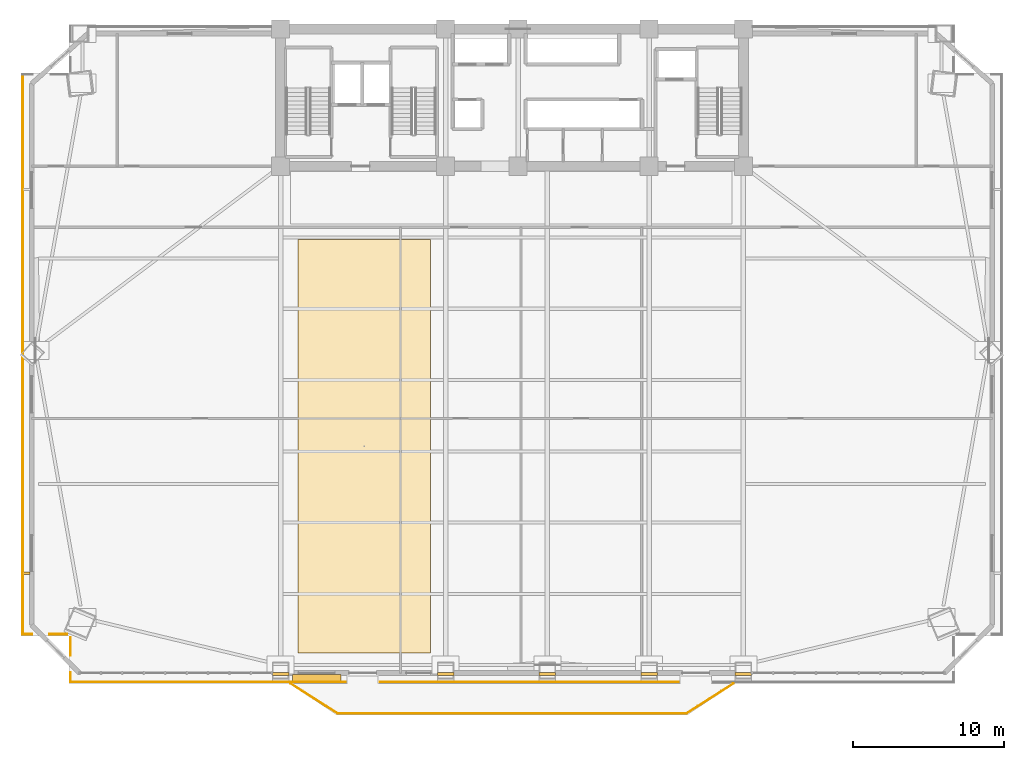
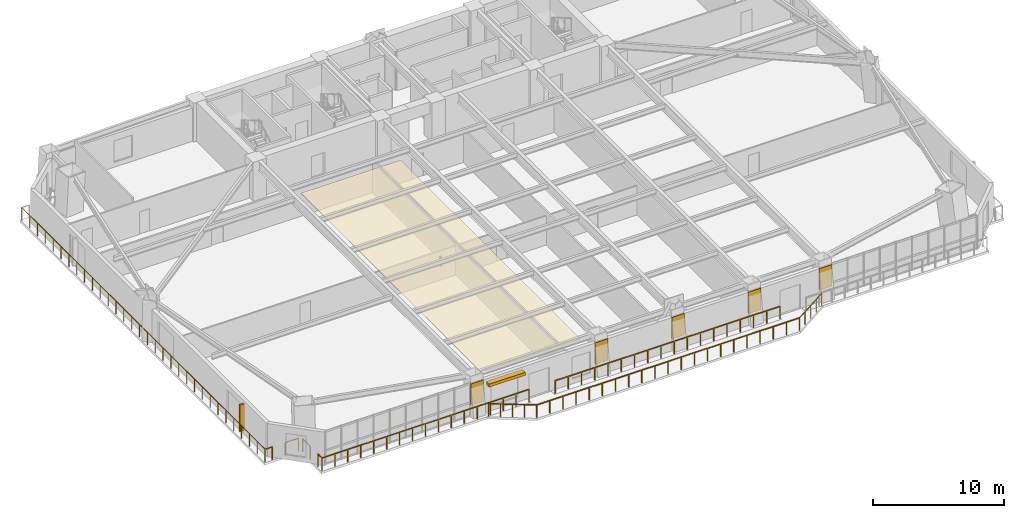
# One storey, part 13 of 17: 10 railings, 6 coverings, 2 shading devices.
"""IFC4 building model written with IfcOpenShell, lengths in metres."""

from ifc_helpers import new_model, si_unit, direction, frame, origin, origin_2d, place, context, subcontext, project, spatial, polyline, rectangle, outline, extrude, source, transform, mapped, material, layer, layer_set, type_object, element, save


model = new_model("IFC4")

# Units and contexts
model_context = context("Model", 3, precision=1e-05, world=origin(), true_north=direction((0.0, 1.0)))
body_context = subcontext(model_context, "Body", "Model", "MODEL_VIEW")
ifc_project = project(units=[si_unit("LENGTHUNIT", "METRE"), si_unit("AREAUNIT", "SQUARE_METRE"), si_unit("VOLUMEUNIT", "CUBIC_METRE"), si_unit("PLANEANGLEUNIT", "RADIAN"), si_unit("MASSUNIT", "GRAM", prefix="KILO")], contexts=[model_context])

# Site, building, storey
site_placement = place(None, origin())
site = spatial("IfcSite", under=ifc_project, at=site_placement, CompositionType="ELEMENT")
building_placement = place(site_placement, origin())
building = spatial("IfcBuilding", under=site, at=building_placement, Name="Giltprow Tower", CompositionType="ELEMENT")
storey_placement = place(building_placement, frame((0.0, 0.0, 44.89990234375)))
storey = spatial("IfcBuildingStorey", under=building, at=storey_placement, Name="L11", CompositionType="ELEMENT", Elevation=44.89990234375)

# Coverings
ifc_material_1 = material(Name="Acoustic mineral fibre", Category="gypsum")
ifc_layer_1 = layer(ifc_material_1, 0.030029296875, Name="Acoustic mineral fibre")
ifc_layer_set_1 = layer_set([ifc_layer_1], Name="Acoustic mineral fibre")
covering_type_1 = type_object("IfcCoveringType", Name="COV-CLG-ACOUSTIC", PredefinedType="CEILING", material=ifc_layer_set_1)
covering_1_placement = place(storey_placement, frame((0.0, 0.0, 2.72021484375)))
element("IfcCovering", 1, at=covering_1_placement, inside=storey, type_object=covering_type_1, Name="L11 Office Acoustic Ceiling", PredefinedType="CEILING", context=body_context, shape_type="SweptSolid", body=[
    extrude(outline(polyline([(21.0, 5.154052734375), (29.800048828125, 5.154052734375), (29.800048828125, 32.60009765625), (21.0, 32.60009765625), (21.0, 5.154052734375)])), origin(), (0.0, 0.0, 1.0), 0.02978515625),
])
ifc_material_2 = material(Name="Anodized bronze", Category="metal")
ifc_layer_2 = layer(ifc_material_2, 0.0400390625, Name="Anodized bronze")
ifc_layer_set_2 = layer_set([ifc_layer_2], Name="Anodized bronze")
covering_type_2 = type_object("IfcCoveringType", Name="COV-SOFFIT-BRONZE", PredefinedType="CLADDING", material=ifc_layer_set_2)
covering_2_placement = place(storey_placement, frame((0.0, 0.0, 1.10009765625)))
element("IfcCovering", 2, at=covering_2_placement, inside=storey, type_object=covering_type_2, Name="L11 Setback Pier Closure Cladding S-1", PredefinedType="CLADDING", context=body_context, shape_type="SweptSolid", body=[
    extrude(outline(polyline([(19.300048828125, 3.6669921875), (20.39990234375, 3.6669921875), (20.39990234375, 3.846923828125), (19.300048828125, 3.846923828125), (19.300048828125, 3.6669921875)])), origin(), (0.0, 0.0, 1.0), 2.0),
])
covering_3_placement = place(storey_placement, frame((0.0, 0.0, 1.10009765625)))
element("IfcCovering", 3, at=covering_3_placement, inside=storey, type_object=covering_type_2, Name="L11 Setback Pier Closure Cladding S-2", PredefinedType="CLADDING", context=body_context, shape_type="SweptSolid", body=[
    extrude(outline(polyline([(30.25, 3.6669921875), (31.35009765625, 3.6669921875), (31.35009765625, 3.846923828125), (30.25, 3.846923828125), (30.25, 3.6669921875)])), origin(), (0.0, 0.0, 1.0), 2.0),
])
covering_4_placement = place(storey_placement, frame((0.0, 0.0, 1.10009765625)))
element("IfcCovering", 4, at=covering_4_placement, inside=storey, type_object=covering_type_2, Name="L11 Setback Pier Closure Cladding S-3", PredefinedType="CLADDING", context=body_context, shape_type="SweptSolid", body=[
    extrude(outline(polyline([(37.0, 3.6669921875), (38.10009765625, 3.6669921875), (38.10009765625, 3.846923828125), (37.0, 3.846923828125), (37.0, 3.6669921875)])), origin(), (0.0, 0.0, 1.0), 2.0),
])
covering_5_placement = place(storey_placement, frame((0.0, 0.0, 1.10009765625)))
element("IfcCovering", 5, at=covering_5_placement, inside=storey, type_object=covering_type_2, Name="L11 Setback Pier Closure Cladding S-4", PredefinedType="CLADDING", context=body_context, shape_type="SweptSolid", body=[
    extrude(outline(polyline([(43.75, 3.6669921875), (44.85009765625, 3.6669921875), (44.85009765625, 3.846923828125), (43.75, 3.846923828125), (43.75, 3.6669921875)])), origin(), (0.0, 0.0, 1.0), 2.0),
])
covering_6_placement = place(storey_placement, frame((0.0, 0.0, 1.10009765625)))
element("IfcCovering", 6, at=covering_6_placement, inside=storey, type_object=covering_type_2, Name="L11 Setback Pier Closure Cladding S-5", PredefinedType="CLADDING", context=body_context, shape_type="SweptSolid", body=[
    extrude(outline(polyline([(50.0, 3.6669921875), (51.10009765625, 3.6669921875), (51.10009765625, 3.846923828125), (50.0, 3.846923828125), (50.0, 3.6669921875)])), origin(), (0.0, 0.0, 1.0), 2.0),
])

# Railings
railing_type = type_object("IfcRailingType", Name="RAIL-BALC-GUARD-1200", PredefinedType="BALUSTRADE", material=ifc_material_2)
railing_1_placement = place(storey_placement, frame((20.52001953125, 3.126953125, 0.0)))
element("IfcRailing", 7, at=railing_1_placement, inside=storey, type_object=railing_type, Name="L11 Waterfront Balcony Balustrade Seg 1", PredefinedType="BALUSTRADE", context=body_context, shape_type="SweptSolid", body=[
    extrude(rectangle(XDim=0.048095703125, YDim=0.048095703125, at=origin_2d()), frame((0.0, 0.0, 1.17578125), z_axis=(0.84277487735, -0.538266203757, 0.0), x_axis=(0.538266203757, 0.84277487735, 0.0)), (0.0, 0.0, 1.0), 3.678466796875),
    extrude(rectangle(XDim=0.0419921875, YDim=0.0419921875, at=origin_2d()), origin(), (0.0, 0.0, 1.0), 1.15185546875),
    extrude(rectangle(XDim=0.0419921875, YDim=0.0419921875, at=origin_2d()), frame((0.77490234375, -0.4951171875, 0.0)), (0.0, 0.0, 1.0), 1.15185546875),
    extrude(rectangle(XDim=0.0419921875, YDim=0.0419921875, at=origin_2d()), frame((1.550048828125, -0.989990234375, 0.0)), (0.0, 0.0, 1.0), 1.15185546875),
    extrude(rectangle(XDim=0.0419921875, YDim=0.0419921875, at=origin_2d()), frame((2.3251953125, -1.48486328125, 0.0)), (0.0, 0.0, 1.0), 1.15185546875),
    extrude(rectangle(XDim=0.0419921875, YDim=0.0419921875, at=origin_2d()), frame((3.10009765625, -1.97998046875, 0.0)), (0.0, 0.0, 1.0), 1.15185546875),
])
railing_2_placement = place(storey_placement, frame((23.6201171875, 1.14697265625, 0.0)))
element("IfcRailing", 8, at=railing_2_placement, inside=storey, type_object=railing_type, Name="L11 Waterfront Balcony Balustrade Seg 2", PredefinedType="BALUSTRADE", context=body_context, shape_type="SweptSolid", body=[
    extrude(rectangle(XDim=0.048095703125, YDim=0.048095703125, at=origin_2d()), frame((0.0, 0.0, 1.17578125), z_axis=(1.0, 0.0, 0.0), x_axis=(0.0, 1.0, 0.0)), (0.0, 0.0, 1.0), 23.159912109375),
    extrude(rectangle(XDim=0.0419921875, YDim=0.0419921875, at=origin_2d()), origin(), (0.0, 0.0, 1.0), 1.15185546875),
    extrude(rectangle(XDim=0.0419921875, YDim=0.0419921875, at=origin_2d()), frame((1.157958984375, 0.0, 0.0)), (0.0, 0.0, 1.0), 1.15185546875),
    extrude(rectangle(XDim=0.0419921875, YDim=0.0419921875, at=origin_2d()), frame((2.31591796875, 0.0, 0.0)), (0.0, 0.0, 1.0), 1.15185546875),
    extrude(rectangle(XDim=0.0419921875, YDim=0.0419921875, at=origin_2d()), frame((3.473876953125, 0.0, 0.0)), (0.0, 0.0, 1.0), 1.15185546875),
    extrude(rectangle(XDim=0.0419921875, YDim=0.0419921875, at=origin_2d()), frame((4.632080078125, 0.0, 0.0)), (0.0, 0.0, 1.0), 1.15185546875),
    extrude(rectangle(XDim=0.0419921875, YDim=0.0419921875, at=origin_2d()), frame((5.7900390625, 0.0, 0.0)), (0.0, 0.0, 1.0), 1.15185546875),
    extrude(rectangle(XDim=0.0419921875, YDim=0.0419921875, at=origin_2d()), frame((6.947998046875, 0.0, 0.0)), (0.0, 0.0, 1.0), 1.15185546875),
    extrude(rectangle(XDim=0.0419921875, YDim=0.0419921875, at=origin_2d()), frame((8.10595703125, 0.0, 0.0)), (0.0, 0.0, 1.0), 1.15185546875),
    extrude(rectangle(XDim=0.0419921875, YDim=0.0419921875, at=origin_2d()), frame((9.263916015625, 0.0, 0.0)), (0.0, 0.0, 1.0), 1.15185546875),
    extrude(rectangle(XDim=0.0419921875, YDim=0.0419921875, at=origin_2d()), frame((10.421875, 0.0, 0.0)), (0.0, 0.0, 1.0), 1.15185546875),
    extrude(rectangle(XDim=0.0419921875, YDim=0.0419921875, at=origin_2d()), frame((11.580078125, 0.0, 0.0)), (0.0, 0.0, 1.0), 1.15185546875),
    extrude(rectangle(XDim=0.0419921875, YDim=0.0419921875, at=origin_2d()), frame((12.738037109375, 0.0, 0.0)), (0.0, 0.0, 1.0), 1.15185546875),
    extrude(rectangle(XDim=0.0419921875, YDim=0.0419921875, at=origin_2d()), frame((13.89599609375, 0.0, 0.0)), (0.0, 0.0, 1.0), 1.15185546875),
    extrude(rectangle(XDim=0.0419921875, YDim=0.0419921875, at=origin_2d()), frame((15.053955078125, 0.0, 0.0)), (0.0, 0.0, 1.0), 1.15185546875),
    extrude(rectangle(XDim=0.0419921875, YDim=0.0419921875, at=origin_2d()), frame((16.2119140625, 0.0, 0.0)), (0.0, 0.0, 1.0), 1.15185546875),
    extrude(rectangle(XDim=0.0419921875, YDim=0.0419921875, at=origin_2d()), frame((17.369873046875, 0.0, 0.0)), (0.0, 0.0, 1.0), 1.15185546875),
    extrude(rectangle(XDim=0.0419921875, YDim=0.0419921875, at=origin_2d()), frame((18.52783203125, 0.0, 0.0)), (0.0, 0.0, 1.0), 1.15185546875),
    extrude(rectangle(XDim=0.0419921875, YDim=0.0419921875, at=origin_2d()), frame((19.68603515625, 0.0, 0.0)), (0.0, 0.0, 1.0), 1.15185546875),
    extrude(rectangle(XDim=0.0419921875, YDim=0.0419921875, at=origin_2d()), frame((20.843994140625, 0.0, 0.0)), (0.0, 0.0, 1.0), 1.15185546875),
    extrude(rectangle(XDim=0.0419921875, YDim=0.0419921875, at=origin_2d()), frame((22.001953125, 0.0, 0.0)), (0.0, 0.0, 1.0), 1.15185546875),
    extrude(rectangle(XDim=0.0419921875, YDim=0.0419921875, at=origin_2d()), frame((23.159912109375, 0.0, 0.0)), (0.0, 0.0, 1.0), 1.15185546875),
])
railing_3_placement = place(storey_placement, frame((46.780029296875, 1.14697265625, 0.0)))
element("IfcRailing", 9, at=railing_3_placement, inside=storey, type_object=railing_type, Name="L11 Waterfront Balcony Balustrade Seg 3", PredefinedType="BALUSTRADE", context=body_context, shape_type="SweptSolid", body=[
    extrude(rectangle(XDim=0.048095703125, YDim=0.048095703125, at=origin_2d()), frame((0.0, 0.0, 1.17578125), z_axis=(0.842755646126, 0.538296313309, 0.0), x_axis=(-0.538296313309, 0.842755646126, 0.0)), (0.0, 0.0, 1.0), 3.67822265625),
    extrude(rectangle(XDim=0.0419921875, YDim=0.0419921875, at=origin_2d()), origin(), (0.0, 0.0, 1.0), 1.15185546875),
    extrude(rectangle(XDim=0.0419921875, YDim=0.0419921875, at=origin_2d()), frame((0.77490234375, 0.4951171875, 0.0)), (0.0, 0.0, 1.0), 1.15185546875),
    extrude(rectangle(XDim=0.0419921875, YDim=0.0419921875, at=origin_2d()), frame((1.5498046875, 0.989990234375, 0.0)), (0.0, 0.0, 1.0), 1.15185546875),
    extrude(rectangle(XDim=0.0419921875, YDim=0.0419921875, at=origin_2d()), frame((2.324951171875, 1.48486328125, 0.0)), (0.0, 0.0, 1.0), 1.15185546875),
    extrude(rectangle(XDim=0.0419921875, YDim=0.0419921875, at=origin_2d()), frame((3.099853515625, 1.97998046875, 0.0)), (0.0, 0.0, 1.0), 1.15185546875),
])
railing_4_placement = place(storey_placement, frame((5.908935546875, 3.22705078125, 0.0)))
element("IfcRailing", 10, at=railing_4_placement, inside=storey, type_object=railing_type, Name="L11 Corner Apron Edge Balustrade 1", PredefinedType="BALUSTRADE", context=body_context, shape_type="SweptSolid", body=[
    extrude(rectangle(XDim=0.048095703125, YDim=0.048095703125, at=origin_2d()), frame((0.0, 0.0, 1.17578125), z_axis=(0.0, 1.0, 0.0), x_axis=(-1.0, 0.0, 0.0)), (0.0, 0.0, 1.0), 0.619873046875),
    extrude(rectangle(XDim=0.0419921875, YDim=0.0419921875, at=origin_2d()), origin(), (0.0, 0.0, 1.0), 1.15185546875),
    extrude(rectangle(XDim=0.0419921875, YDim=0.0419921875, at=origin_2d()), frame((0.0, 0.619873046875, 0.0)), (0.0, 0.0, 1.0), 1.15185546875),
])
railing_5_placement = place(storey_placement, frame((5.908935546875, 5.007080078125, 0.0)))
element("IfcRailing", 11, at=railing_5_placement, inside=storey, type_object=railing_type, Name="L11 Corner Apron Edge Balustrade 2", PredefinedType="BALUSTRADE", context=body_context, shape_type="SweptSolid", body=[
    extrude(rectangle(XDim=0.048095703125, YDim=0.048095703125, at=origin_2d()), frame((0.0, 0.0, 1.17578125), z_axis=(0.0, 1.0, 0.0), x_axis=(-1.0, 0.0, 0.0)), (0.0, 0.0, 1.0), 1.158935546875),
    extrude(rectangle(XDim=0.0419921875, YDim=0.0419921875, at=origin_2d()), origin(), (0.0, 0.0, 1.0), 1.15185546875),
    extrude(rectangle(XDim=0.0419921875, YDim=0.0419921875, at=origin_2d()), frame((0.0, 1.158935546875, 0.0)), (0.0, 0.0, 1.0), 1.15185546875),
])
railing_6_placement = place(storey_placement, frame((5.674072265625, 6.39990234375, 0.0)))
element("IfcRailing", 12, at=railing_6_placement, inside=storey, type_object=railing_type, Name="L11 Corner Apron Edge Balustrade 3", PredefinedType="BALUSTRADE", context=body_context, shape_type="SweptSolid", body=[
    extrude(rectangle(XDim=0.048095703125, YDim=0.048095703125, at=origin_2d()), frame((0.0, 0.0, 1.17578125), z_axis=(-1.0, 0.0, 0.0), x_axis=(0.0, -1.0, 0.0)), (0.0, 0.0, 1.0), 1.157958984375),
    extrude(rectangle(XDim=0.0419921875, YDim=0.0419921875, at=origin_2d()), origin(), (0.0, 0.0, 1.0), 1.15185546875),
    extrude(rectangle(XDim=0.0419921875, YDim=0.0419921875, at=origin_2d()), frame((-1.157958984375, 0.0, 0.0)), (0.0, 0.0, 1.0), 1.15185546875),
])
railing_7_placement = place(storey_placement, frame((3.35595703125, 6.39990234375, 0.0)))
element("IfcRailing", 13, at=railing_7_placement, inside=storey, type_object=railing_type, Name="L11 Corner Apron Edge Balustrade 4", PredefinedType="BALUSTRADE", context=body_context, shape_type="SweptSolid", body=[
    extrude(rectangle(XDim=0.048095703125, YDim=0.048095703125, at=origin_2d()), frame((0.0, 0.0, 1.17578125), z_axis=(-1.0, 0.0, 0.0), x_axis=(0.0, -1.0, 0.0)), (0.0, 0.0, 1.0), 0.620849609375),
    extrude(rectangle(XDim=0.0419921875, YDim=0.0419921875, at=origin_2d()), origin(), (0.0, 0.0, 1.0), 1.15185546875),
    extrude(rectangle(XDim=0.0419921875, YDim=0.0419921875, at=origin_2d()), frame((-0.620849609375, 0.0, 0.0)), (0.0, 0.0, 1.0), 1.15185546875),
])
railing_8_placement = place(storey_placement, frame((2.735107421875, 6.39990234375, 0.0)))
element("IfcRailing", 14, at=railing_8_placement, inside=storey, type_object=railing_type, Name="L11 Corner Apron Edge Balustrade 5", PredefinedType="BALUSTRADE", context=body_context, shape_type="SweptSolid", body=[
    extrude(rectangle(XDim=0.048095703125, YDim=0.048095703125, at=origin_2d()), frame((0.0, 0.0, 1.17578125), z_axis=(0.0, 1.0, 0.0), x_axis=(-1.0, 0.0, 0.0)), (0.0, 0.0, 1.0), 37.1259765625),
    extrude(rectangle(XDim=0.0419921875, YDim=0.0419921875, at=origin_2d()), origin(), (0.0, 0.0, 1.0), 1.15185546875),
    extrude(rectangle(XDim=0.0419921875, YDim=0.0419921875, at=origin_2d()), frame((0.0, 1.197509765625, 0.0)), (0.0, 0.0, 1.0), 1.15185546875),
    extrude(rectangle(XDim=0.0419921875, YDim=0.0419921875, at=origin_2d()), frame((0.0, 2.395263671875, 0.0)), (0.0, 0.0, 1.0), 1.15185546875),
    extrude(rectangle(XDim=0.0419921875, YDim=0.0419921875, at=origin_2d()), frame((0.0, 3.5927734375, 0.0)), (0.0, 0.0, 1.0), 1.15185546875),
    extrude(rectangle(XDim=0.0419921875, YDim=0.0419921875, at=origin_2d()), frame((0.0, 4.79052734375, 0.0)), (0.0, 0.0, 1.0), 1.15185546875),
    extrude(rectangle(XDim=0.0419921875, YDim=0.0419921875, at=origin_2d()), frame((0.0, 5.988037109375, 0.0)), (0.0, 0.0, 1.0), 1.15185546875),
    extrude(rectangle(XDim=0.0419921875, YDim=0.0419921875, at=origin_2d()), frame((0.0, 7.185791015625, 0.0)), (0.0, 0.0, 1.0), 1.15185546875),
    extrude(rectangle(XDim=0.0419921875, YDim=0.0419921875, at=origin_2d()), frame((0.0, 8.38330078125, 0.0)), (0.0, 0.0, 1.0), 1.15185546875),
    extrude(rectangle(XDim=0.0419921875, YDim=0.0419921875, at=origin_2d()), frame((0.0, 9.580810546875, 0.0)), (0.0, 0.0, 1.0), 1.15185546875),
    extrude(rectangle(XDim=0.0419921875, YDim=0.0419921875, at=origin_2d()), frame((0.0, 10.778564453125, 0.0)), (0.0, 0.0, 1.0), 1.15185546875),
    extrude(rectangle(XDim=0.0419921875, YDim=0.0419921875, at=origin_2d()), frame((0.0, 11.97607421875, 0.0)), (0.0, 0.0, 1.0), 1.15185546875),
    extrude(rectangle(XDim=0.0419921875, YDim=0.0419921875, at=origin_2d()), frame((0.0, 13.173828125, 0.0)), (0.0, 0.0, 1.0), 1.15185546875),
    extrude(rectangle(XDim=0.0419921875, YDim=0.0419921875, at=origin_2d()), frame((0.0, 14.371337890625, 0.0)), (0.0, 0.0, 1.0), 1.15185546875),
    extrude(rectangle(XDim=0.0419921875, YDim=0.0419921875, at=origin_2d()), frame((0.0, 15.56884765625, 0.0)), (0.0, 0.0, 1.0), 1.15185546875),
    extrude(rectangle(XDim=0.0419921875, YDim=0.0419921875, at=origin_2d()), frame((0.0, 16.7666015625, 0.0)), (0.0, 0.0, 1.0), 1.15185546875),
    extrude(rectangle(XDim=0.0419921875, YDim=0.0419921875, at=origin_2d()), frame((0.0, 17.964111328125, 0.0)), (0.0, 0.0, 1.0), 1.15185546875),
    extrude(rectangle(XDim=0.0419921875, YDim=0.0419921875, at=origin_2d()), frame((0.0, 19.161865234375, 0.0)), (0.0, 0.0, 1.0), 1.15185546875),
    extrude(rectangle(XDim=0.0419921875, YDim=0.0419921875, at=origin_2d()), frame((0.0, 20.359375, 0.0)), (0.0, 0.0, 1.0), 1.15185546875),
    extrude(rectangle(XDim=0.0419921875, YDim=0.0419921875, at=origin_2d()), frame((0.0, 21.55712890625, 0.0)), (0.0, 0.0, 1.0), 1.15185546875),
    extrude(rectangle(XDim=0.0419921875, YDim=0.0419921875, at=origin_2d()), frame((0.0, 22.754638671875, 0.0)), (0.0, 0.0, 1.0), 1.15185546875),
    extrude(rectangle(XDim=0.0419921875, YDim=0.0419921875, at=origin_2d()), frame((0.0, 23.9521484375, 0.0)), (0.0, 0.0, 1.0), 1.15185546875),
    extrude(rectangle(XDim=0.0419921875, YDim=0.0419921875, at=origin_2d()), frame((0.0, 25.14990234375, 0.0)), (0.0, 0.0, 1.0), 1.15185546875),
    extrude(rectangle(XDim=0.0419921875, YDim=0.0419921875, at=origin_2d()), frame((0.0, 26.347412109375, 0.0)), (0.0, 0.0, 1.0), 1.15185546875),
    extrude(rectangle(XDim=0.0419921875, YDim=0.0419921875, at=origin_2d()), frame((0.0, 27.545166015625, 0.0)), (0.0, 0.0, 1.0), 1.15185546875),
    extrude(rectangle(XDim=0.0419921875, YDim=0.0419921875, at=origin_2d()), frame((0.0, 28.74267578125, 0.0)), (0.0, 0.0, 1.0), 1.15185546875),
    extrude(rectangle(XDim=0.0419921875, YDim=0.0419921875, at=origin_2d()), frame((0.0, 29.940185546875, 0.0)), (0.0, 0.0, 1.0), 1.15185546875),
    extrude(rectangle(XDim=0.0419921875, YDim=0.0419921875, at=origin_2d()), frame((0.0, 31.137939453125, 0.0)), (0.0, 0.0, 1.0), 1.15185546875),
    extrude(rectangle(XDim=0.0419921875, YDim=0.0419921875, at=origin_2d()), frame((0.0, 32.33544921875, 0.0)), (0.0, 0.0, 1.0), 1.15185546875),
    extrude(rectangle(XDim=0.0419921875, YDim=0.0419921875, at=origin_2d()), frame((0.0, 33.533203125, 0.0)), (0.0, 0.0, 1.0), 1.15185546875),
    extrude(rectangle(XDim=0.0419921875, YDim=0.0419921875, at=origin_2d()), frame((0.0, 34.730712890625, 0.0)), (0.0, 0.0, 1.0), 1.15185546875),
    extrude(rectangle(XDim=0.0419921875, YDim=0.0419921875, at=origin_2d()), frame((0.0, 35.928466796875, 0.0)), (0.0, 0.0, 1.0), 1.15185546875),
    extrude(rectangle(XDim=0.0419921875, YDim=0.0419921875, at=origin_2d()), frame((0.0, 37.1259765625, 0.0)), (0.0, 0.0, 1.0), 1.15185546875),
])
railing_9_placement = place(storey_placement, frame((46.25, 3.22705078125, 0.0)))
element("IfcRailing", 15, at=railing_9_placement, inside=storey, type_object=railing_type, Name="L11 Corner Apron Edge Balustrade 22", PredefinedType="BALUSTRADE", context=body_context, shape_type="SweptSolid", body=[
    extrude(rectangle(XDim=0.048095703125, YDim=0.048095703125, at=origin_2d()), frame((0.0, 0.0, 1.17578125), z_axis=(-1.0, 0.0, 0.0), x_axis=(0.0, -1.0, 0.0)), (0.0, 0.0, 1.0), 19.800048828125),
    extrude(rectangle(XDim=0.0419921875, YDim=0.0419921875, at=origin_2d()), origin(), (0.0, 0.0, 1.0), 1.15185546875),
    extrude(rectangle(XDim=0.0419921875, YDim=0.0419921875, at=origin_2d()), frame((-1.164794921875, 0.0, 0.0)), (0.0, 0.0, 1.0), 1.15185546875),
    extrude(rectangle(XDim=0.0419921875, YDim=0.0419921875, at=origin_2d()), frame((-2.329345703125, 0.0, 0.0)), (0.0, 0.0, 1.0), 1.15185546875),
    extrude(rectangle(XDim=0.0419921875, YDim=0.0419921875, at=origin_2d()), frame((-3.494140625, 0.0, 0.0)), (0.0, 0.0, 1.0), 1.15185546875),
    extrude(rectangle(XDim=0.0419921875, YDim=0.0419921875, at=origin_2d()), frame((-4.658935546875, 0.0, 0.0)), (0.0, 0.0, 1.0), 1.15185546875),
    extrude(rectangle(XDim=0.0419921875, YDim=0.0419921875, at=origin_2d()), frame((-5.823486328125, 0.0, 0.0)), (0.0, 0.0, 1.0), 1.15185546875),
    extrude(rectangle(XDim=0.0419921875, YDim=0.0419921875, at=origin_2d()), frame((-6.98828125, 0.0, 0.0)), (0.0, 0.0, 1.0), 1.15185546875),
    extrude(rectangle(XDim=0.0419921875, YDim=0.0419921875, at=origin_2d()), frame((-8.153076171875, 0.0, 0.0)), (0.0, 0.0, 1.0), 1.15185546875),
    extrude(rectangle(XDim=0.0419921875, YDim=0.0419921875, at=origin_2d()), frame((-9.317626953125, 0.0, 0.0)), (0.0, 0.0, 1.0), 1.15185546875),
    extrude(rectangle(XDim=0.0419921875, YDim=0.0419921875, at=origin_2d()), frame((-10.482421875, 0.0, 0.0)), (0.0, 0.0, 1.0), 1.15185546875),
    extrude(rectangle(XDim=0.0419921875, YDim=0.0419921875, at=origin_2d()), frame((-11.64697265625, 0.0, 0.0)), (0.0, 0.0, 1.0), 1.15185546875),
    extrude(rectangle(XDim=0.0419921875, YDim=0.0419921875, at=origin_2d()), frame((-12.811767578125, 0.0, 0.0)), (0.0, 0.0, 1.0), 1.15185546875),
    extrude(rectangle(XDim=0.0419921875, YDim=0.0419921875, at=origin_2d()), frame((-13.9765625, 0.0, 0.0)), (0.0, 0.0, 1.0), 1.15185546875),
    extrude(rectangle(XDim=0.0419921875, YDim=0.0419921875, at=origin_2d()), frame((-15.14111328125, 0.0, 0.0)), (0.0, 0.0, 1.0), 1.15185546875),
    extrude(rectangle(XDim=0.0419921875, YDim=0.0419921875, at=origin_2d()), frame((-16.305908203125, 0.0, 0.0)), (0.0, 0.0, 1.0), 1.15185546875),
    extrude(rectangle(XDim=0.0419921875, YDim=0.0419921875, at=origin_2d()), frame((-17.470703125, 0.0, 0.0)), (0.0, 0.0, 1.0), 1.15185546875),
    extrude(rectangle(XDim=0.0419921875, YDim=0.0419921875, at=origin_2d()), frame((-18.63525390625, 0.0, 0.0)), (0.0, 0.0, 1.0), 1.15185546875),
    extrude(rectangle(XDim=0.0419921875, YDim=0.0419921875, at=origin_2d()), frame((-19.800048828125, 0.0, 0.0)), (0.0, 0.0, 1.0), 1.15185546875),
])
railing_10_placement = place(storey_placement, frame((24.14990234375, 3.22705078125, 0.0)))
element("IfcRailing", 16, at=railing_10_placement, inside=storey, type_object=railing_type, Name="L11 Corner Apron Edge Balustrade 23", PredefinedType="BALUSTRADE", context=body_context, shape_type="SweptSolid", body=[
    extrude(rectangle(XDim=0.048095703125, YDim=0.048095703125, at=origin_2d()), frame((0.0, 0.0, 1.17578125), z_axis=(-1.0, 0.0, 0.0), x_axis=(0.0, -1.0, 0.0)), (0.0, 0.0, 1.0), 18.240966796875),
    extrude(rectangle(XDim=0.0419921875, YDim=0.0419921875, at=origin_2d()), origin(), (0.0, 0.0, 1.0), 1.15185546875),
    extrude(rectangle(XDim=0.0419921875, YDim=0.0419921875, at=origin_2d()), frame((-1.14013671875, 0.0, 0.0)), (0.0, 0.0, 1.0), 1.15185546875),
    extrude(rectangle(XDim=0.0419921875, YDim=0.0419921875, at=origin_2d()), frame((-2.280029296875, 0.0, 0.0)), (0.0, 0.0, 1.0), 1.15185546875),
    extrude(rectangle(XDim=0.0419921875, YDim=0.0419921875, at=origin_2d()), frame((-3.420166015625, 0.0, 0.0)), (0.0, 0.0, 1.0), 1.15185546875),
    extrude(rectangle(XDim=0.0419921875, YDim=0.0419921875, at=origin_2d()), frame((-4.560302734375, 0.0, 0.0)), (0.0, 0.0, 1.0), 1.15185546875),
    extrude(rectangle(XDim=0.0419921875, YDim=0.0419921875, at=origin_2d()), frame((-5.7001953125, 0.0, 0.0)), (0.0, 0.0, 1.0), 1.15185546875),
    extrude(rectangle(XDim=0.0419921875, YDim=0.0419921875, at=origin_2d()), frame((-6.84033203125, 0.0, 0.0)), (0.0, 0.0, 1.0), 1.15185546875),
    extrude(rectangle(XDim=0.0419921875, YDim=0.0419921875, at=origin_2d()), frame((-7.98046875, 0.0, 0.0)), (0.0, 0.0, 1.0), 1.15185546875),
    extrude(rectangle(XDim=0.0419921875, YDim=0.0419921875, at=origin_2d()), frame((-9.12060546875, 0.0, 0.0)), (0.0, 0.0, 1.0), 1.15185546875),
    extrude(rectangle(XDim=0.0419921875, YDim=0.0419921875, at=origin_2d()), frame((-10.260498046875, 0.0, 0.0)), (0.0, 0.0, 1.0), 1.15185546875),
    extrude(rectangle(XDim=0.0419921875, YDim=0.0419921875, at=origin_2d()), frame((-11.400634765625, 0.0, 0.0)), (0.0, 0.0, 1.0), 1.15185546875),
    extrude(rectangle(XDim=0.0419921875, YDim=0.0419921875, at=origin_2d()), frame((-12.540771484375, 0.0, 0.0)), (0.0, 0.0, 1.0), 1.15185546875),
    extrude(rectangle(XDim=0.0419921875, YDim=0.0419921875, at=origin_2d()), frame((-13.6806640625, 0.0, 0.0)), (0.0, 0.0, 1.0), 1.15185546875),
    extrude(rectangle(XDim=0.0419921875, YDim=0.0419921875, at=origin_2d()), frame((-14.82080078125, 0.0, 0.0)), (0.0, 0.0, 1.0), 1.15185546875),
    extrude(rectangle(XDim=0.0419921875, YDim=0.0419921875, at=origin_2d()), frame((-15.9609375, 0.0, 0.0)), (0.0, 0.0, 1.0), 1.15185546875),
    extrude(rectangle(XDim=0.0419921875, YDim=0.0419921875, at=origin_2d()), frame((-17.100830078125, 0.0, 0.0)), (0.0, 0.0, 1.0), 1.15185546875),
    extrude(rectangle(XDim=0.0419921875, YDim=0.0419921875, at=origin_2d()), frame((-18.240966796875, 0.0, 0.0)), (0.0, 0.0, 1.0), 1.15185546875),
])

# Shading devices
shading_device_type_1 = type_object("IfcShadingDeviceType", Name="SHD-FIN-420", PredefinedType="USERDEFINED", material=ifc_material_2)
shared_shape_1 = source(origin(), body_context, "Body", "SweptSolid", [
    extrude(rectangle(XDim=0.419921875, YDim=0.159912109375, at=origin_2d()), origin(), (0.0, 0.0, 1.0), 2.5),
])
shading_device_1_placement = place(storey_placement, frame((3.014892578125, 10.447998046875, 0.35009765625), z_axis=(0.0, 0.0, 1.0), x_axis=(1.0, 0.0, 0.0)))
element("IfcShadingDevice", 17, at=shading_device_1_placement, inside=storey, type_object=shading_device_type_1, Name="L11 W Bronze Vertical Fin 1-1", ObjectType="FIN", PredefinedType="USERDEFINED", context=body_context, shape_type="MappedRepresentation", body=[
    mapped(shared_shape_1, transform((0.0, 0.0, 0.0), x_axis=(1.0, 0.0, 0.0), y_axis=(0.0, 1.0, 0.0), z_axis=(0.0, 0.0, 1.0), scale=1.0)),
])
shading_device_type_2 = type_object("IfcShadingDeviceType", Name="SHD-LOUVRE-320", PredefinedType="JALOUSIE", material=ifc_material_2)
shared_shape_2 = source(origin(), body_context, "Body", "SweptSolid", [
    extrude(rectangle(XDim=3.199951171875, YDim=0.449951171875, at=origin_2d()), origin(), (0.0, 0.0, 1.0), 0.280029296875),
])
shading_device_2_placement = place(storey_placement, frame((22.25, 3.507080078125, 2.56005859375), z_axis=(0.0, 0.0, 1.0), x_axis=(1.0, 0.0, 0.0)))
element("IfcShadingDevice", 18, at=shading_device_2_placement, inside=storey, type_object=shading_device_type_2, Name="L11 Bronze Sunshade Louvre S-2", PredefinedType="JALOUSIE", context=body_context, shape_type="MappedRepresentation", body=[
    mapped(shared_shape_2, transform((0.0, 0.0, 0.0), x_axis=(1.0, 0.0, 0.0), y_axis=(0.0, 1.0, 0.0), z_axis=(0.0, 0.0, 1.0), scale=1.0)),
])

save(model, "model.ifc")
